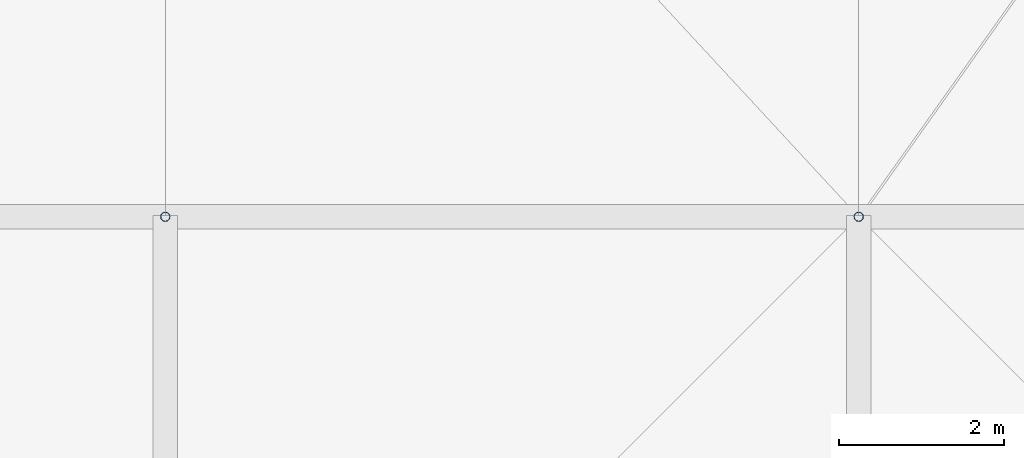
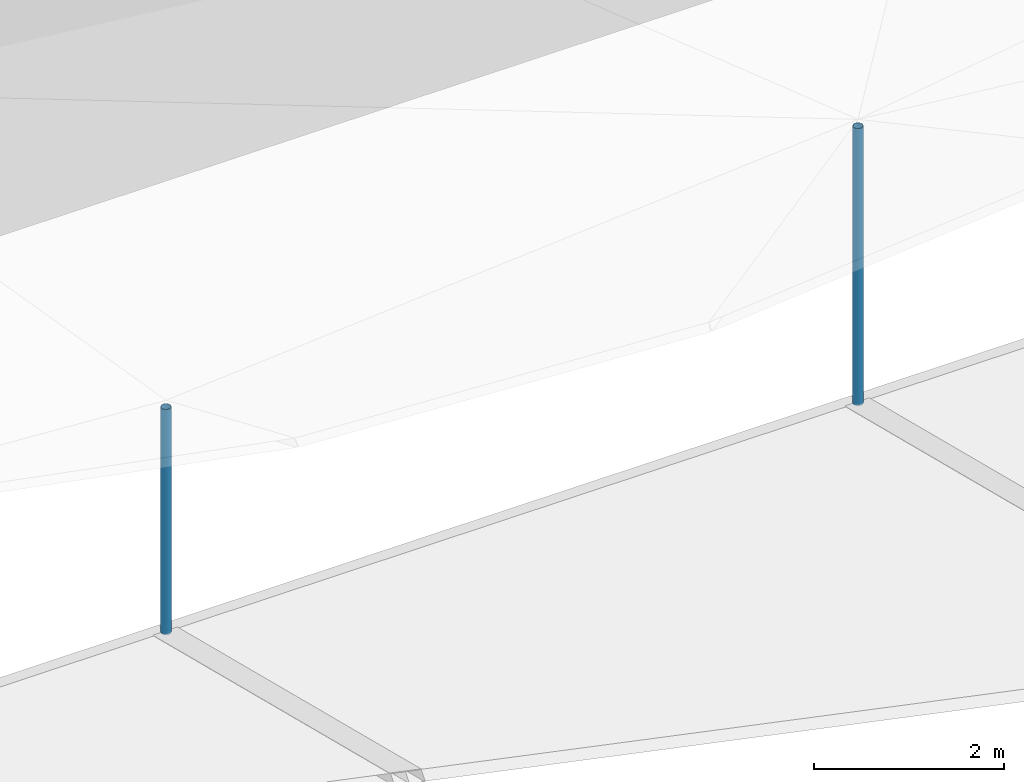
# One storey, part 67 of 111: 2 discrete accessories.
"""IFC4 building model written with IfcOpenShell, lengths in metres."""

from ifc_helpers import new_model, si_unit, direction, frame, origin, origin_2d, place, context, subcontext, project, spatial, hollow_circle, extrude, material, material_profile, profile_set, type_object, element, save


model = new_model("IFC4")

# Units and contexts
model_context = context("Model", 3, precision=1e-05, world=origin(), true_north=direction((0.0, 1.0)))
body_context = subcontext(model_context, "Body", "Model", "MODEL_VIEW")
ifc_project = project(units=[si_unit("LENGTHUNIT", "METRE"), si_unit("AREAUNIT", "SQUARE_METRE"), si_unit("VOLUMEUNIT", "CUBIC_METRE"), si_unit("PLANEANGLEUNIT", "RADIAN"), si_unit("MASSUNIT", "GRAM", prefix="KILO")], contexts=[model_context])

# Site, building, storey
site_placement = place(None, origin())
site = spatial("IfcSite", under=ifc_project, at=site_placement, CompositionType="ELEMENT")
building_placement = place(site_placement, origin())
building = spatial("IfcBuilding", under=site, at=building_placement, Name="Rain Tree Exposition and Congress Centre", CompositionType="ELEMENT")
storey_placement = place(building_placement, frame((0.0, 0.0, 19.5)))
storey = spatial("IfcBuildingStorey", under=building, at=storey_placement, Name="RF", CompositionType="ELEMENT", Elevation=19.5)

# Discrete accessories
ifc_material = material(Name="Steel S355J2H", Category="steel")
ifc_material_profile = material_profile(ifc_material, hollow_circle(Radius=0.05712890625, WallThickness=0.00439453125, at=origin_2d()), Name="CHS 114x4.5")
ifc_profile_set = profile_set([ifc_material_profile], Name="Steel S355J2H")
discrete_accessory_type = type_object("IfcDiscreteAccessoryType", Name="Roof skin post CHS 114x4.5", PredefinedType="BRACKET", material=ifc_profile_set)
discrete_accessory_1_placement = place(storey_placement, frame((75.60009765625, 193.199951171875, 1.11669921875), z_axis=(0.0, 0.0, 1.0), x_axis=(1.0, 0.0, 0.0)))
element("IfcDiscreteAccessory", 1, at=discrete_accessory_1_placement, inside=storey, type_object=discrete_accessory_type, Name="Roof skin post A174", PredefinedType="BRACKET", context=body_context, shape_type="SweptSolid", body=[
    extrude(hollow_circle(Radius=0.05712890625, WallThickness=0.00439453125, at=origin_2d()), origin(), (0.0, 0.0, 1.0), 2.893310546875),
])
discrete_accessory_2_placement = place(storey_placement, frame((84.0, 193.199951171875, 1.11669921875), z_axis=(0.0, 0.0, 1.0), x_axis=(1.0, 0.0, 0.0)))
element("IfcDiscreteAccessory", 2, at=discrete_accessory_2_placement, inside=storey, type_object=discrete_accessory_type, Name="Roof skin post A175", PredefinedType="BRACKET", context=body_context, shape_type="SweptSolid", body=[
    extrude(hollow_circle(Radius=0.05712890625, WallThickness=0.00439453125, at=origin_2d()), origin(), (0.0, 0.0, 1.0), 3.557373046875),
])

save(model, "model.ifc")
